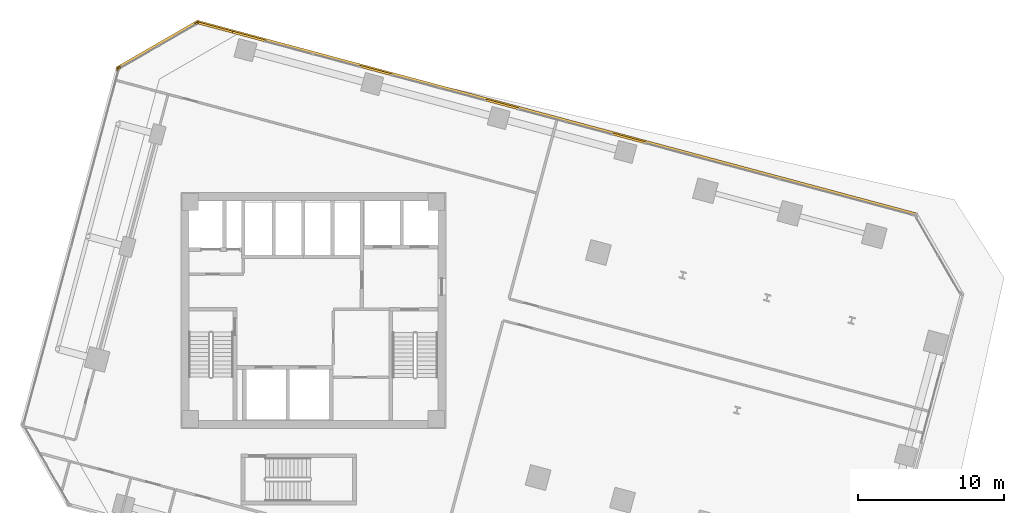
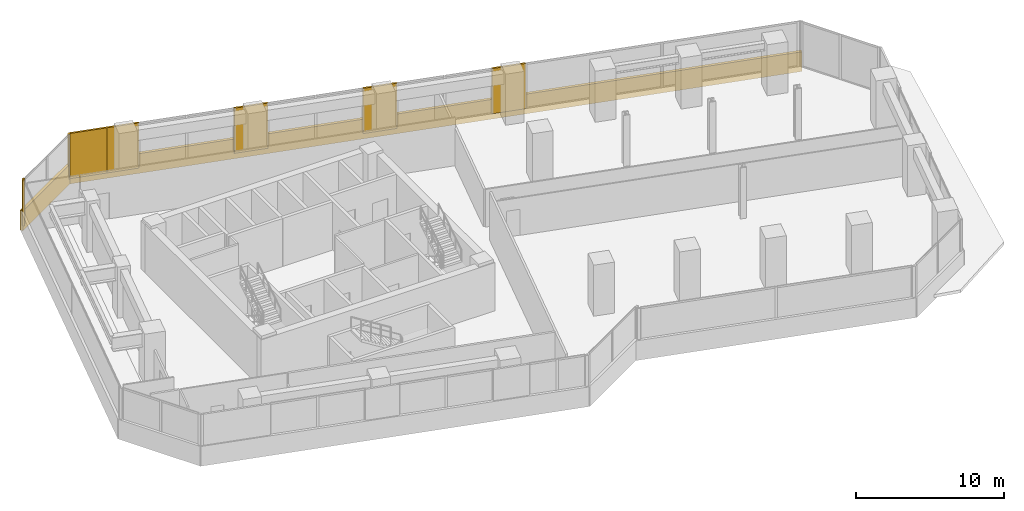
# One storey, part 25 of 26: 10 coverings.
"""IFC4 building model written with IfcOpenShell, lengths in metres."""

from ifc_helpers import new_model, si_unit, direction, frame, origin, origin_2d, place, context, subcontext, project, spatial, rectangle, extrude, source, transform, mapped, material, layer, layer_set, type_object, element, save


model = new_model("IFC4")

# Units and contexts
model_context = context("Model", 3, precision=1e-05, world=origin(), true_north=direction((0.0, 1.0)))
body_context = subcontext(model_context, "Body", "Model", "MODEL_VIEW")
ifc_project = project(units=[si_unit("LENGTHUNIT", "METRE"), si_unit("AREAUNIT", "SQUARE_METRE"), si_unit("VOLUMEUNIT", "CUBIC_METRE"), si_unit("PLANEANGLEUNIT", "RADIAN"), si_unit("MASSUNIT", "GRAM", prefix="KILO")], contexts=[model_context])

# Site, building, storey
site_placement = place(None, origin())
site = spatial("IfcSite", under=ifc_project, at=site_placement, CompositionType="ELEMENT")
building_placement = place(site_placement, origin())
building = spatial("IfcBuilding", under=site, at=building_placement, Name="Torre Montelarca", CompositionType="ELEMENT")
storey_placement = place(building_placement, frame((0.0, 0.0, 100.0)))
storey = spatial("IfcBuildingStorey", under=building, at=storey_placement, Name="L22", CompositionType="ELEMENT", Elevation=100.0)

# Coverings
ifc_material = material(Name="Bush-hammered warm white precast concrete C45/55", Category="concrete")
ifc_layer = layer(ifc_material, 0.139892578125, Name="Bush-hammered warm white precast concrete C45/55", Category="concrete")
ifc_layer_set = layer_set([ifc_layer], Name="Bush-hammered warm white precast concrete C45/55")
covering_type = type_object("IfcCoveringType", Name="COV-TRAY-CLAD", PredefinedType="CLADDING", material=ifc_layer_set)
shared_shape_1 = source(origin(), body_context, "Body", "SweptSolid", [
    extrude(rectangle(XDim=6.48388671875, YDim=0.219970703125, at=origin_2d()), origin(), (0.0, 0.0, 1.0), 1.6201171875),
])
covering_1_placement = place(storey_placement, frame((7.30419921875, 50.223876953125, -0.449951171875), z_axis=(0.0, 0.0, 1.0), x_axis=(-0.866026276448, -0.4999984885, 0.0)))
element("IfcCovering", 1, at=covering_1_placement, inside=storey, type_object=covering_type, Name="L22 Architectural White Spandrel Tray Band TRYBOT-09", PredefinedType="CLADDING", context=body_context, shape_type="MappedRepresentation", body=[
    mapped(shared_shape_1, transform((0.0, 0.0, 0.0), scale=1.0)),
])
shared_shape_2 = source(origin(), body_context, "Body", "SweptSolid", [
    extrude(rectangle(XDim=51.219970703125, YDim=0.219970703125, at=origin_2d()), origin(), (0.0, 0.0, 1.0), 1.6201171875),
])
covering_2_placement = place(storey_placement, frame((34.716552734375, 45.19921875, -0.449951171875), z_axis=(0.0, 0.0, 1.0), x_axis=(-0.965925374563, 0.258820730961, 0.0)))
element("IfcCovering", 2, at=covering_2_placement, inside=storey, type_object=covering_type, Name="L22 Architectural White Spandrel Tray Band TRYBOT-08", PredefinedType="CLADDING", context=body_context, shape_type="MappedRepresentation", body=[
    mapped(shared_shape_2, transform((0.0, 0.0, 0.0), scale=1.0)),
])
shared_shape_3 = source(origin(), body_context, "Body", "SweptSolid", [
    extrude(rectangle(XDim=0.199951171875, YDim=0.139892578125, at=origin_2d()), origin(), (0.0, 0.0, 1.0), 3.719970703125),
])
for number, where, z_axis, x_axis, name in (
    (3, (9.989501953125, 51.705078125, 0.0), (0.0, 0.0, 1.0), (-0.866024531118, -0.500001511499, 0.0), "L22 Architectural Column Pier Cladding E09-1"),
    (4, (4.6787109375, 48.638916015625, 0.0), (0.0, 0.0, 1.0), (-0.866024531118, -0.500001511499, 0.0), "L22 Architectural Column Pier Cladding E09-2"),
    (5, (4.59033203125, 48.523681640625, 0.0), (0.0, 0.0, 1.0), (-0.258819045103, -0.965925826289, 0.0), "L22 Architectural Column Pier Cladding E10-1"),
):
    element("IfcCovering", number, at=place(storey_placement, frame(where, z_axis=z_axis, x_axis=x_axis)), inside=storey, type_object=covering_type, Name=name, PredefinedType="CLADDING", context=body_context, shape_type="MappedRepresentation", body=[
        mapped(shared_shape_3, transform((0.0, 0.0, 0.0), scale=1.0)),
    ])
shared_shape_4 = source(origin(), body_context, "Body", "SweptSolid", [
    extrude(rectangle(XDim=2.360107421875, YDim=0.139892578125, at=origin_2d()), origin(), (0.0, 0.0, 1.0), 3.719970703125),
])
for number, where, z_axis, x_axis, name in (
    (6, (39.675537109375, 43.80810546875, 0.0), (0.0, 0.0, 1.0), (-0.965925374563, 0.258820730961, 0.0), "L22 Architectural Column Pier Cladding E08-2"),
    (7, (30.982177734375, 46.1376953125, 0.0), (0.0, 0.0, 1.0), (-0.965925374563, 0.258820730961, 0.0), "L22 Architectural Column Pier Cladding E08-3"),
    (8, (22.288818359375, 48.467041015625, 0.0), (0.0, 0.0, 1.0), (-0.965925374563, 0.258820730961, 0.0), "L22 Architectural Column Pier Cladding E08-4"),
    (9, (13.595458984375, 50.79638671875, 0.0), (0.0, 0.0, 1.0), (-0.965925374563, 0.258820730961, 0.0), "L22 Architectural Column Pier Cladding E08-5"),
):
    element("IfcCovering", number, at=place(storey_placement, frame(where, z_axis=z_axis, x_axis=x_axis)), inside=storey, type_object=covering_type, Name=name, PredefinedType="CLADDING", context=body_context, shape_type="MappedRepresentation", body=[
        mapped(shared_shape_4, transform((0.0, 0.0, 0.0), scale=1.0)),
    ])
shared_shape_5 = source(origin(), body_context, "Body", "SweptSolid", [
    extrude(rectangle(XDim=2.60400390625, YDim=0.139892578125, at=origin_2d()), origin(), (0.0, 0.0, 1.0), 3.719970703125),
])
covering_3_placement = place(storey_placement, frame((11.294677734375, 51.412841796875, 0.0), z_axis=(0.0, 0.0, 1.0), x_axis=(-0.965925374563, 0.258820730961, 0.0)))
element("IfcCovering", 10, at=covering_3_placement, inside=storey, type_object=covering_type, Name="L22 Architectural Column Pier Cladding E08-6", PredefinedType="CLADDING", context=body_context, shape_type="MappedRepresentation", body=[
    mapped(shared_shape_5, transform((0.0, 0.0, 0.0), scale=1.0)),
])

save(model, "model.ifc")
